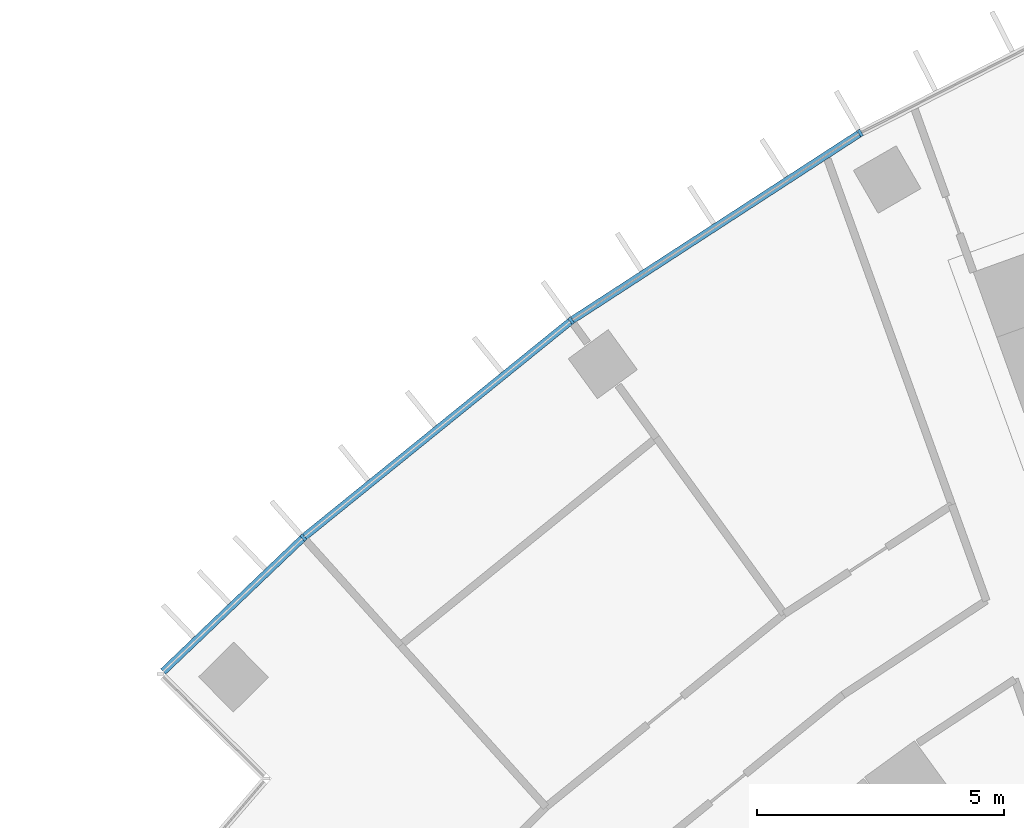
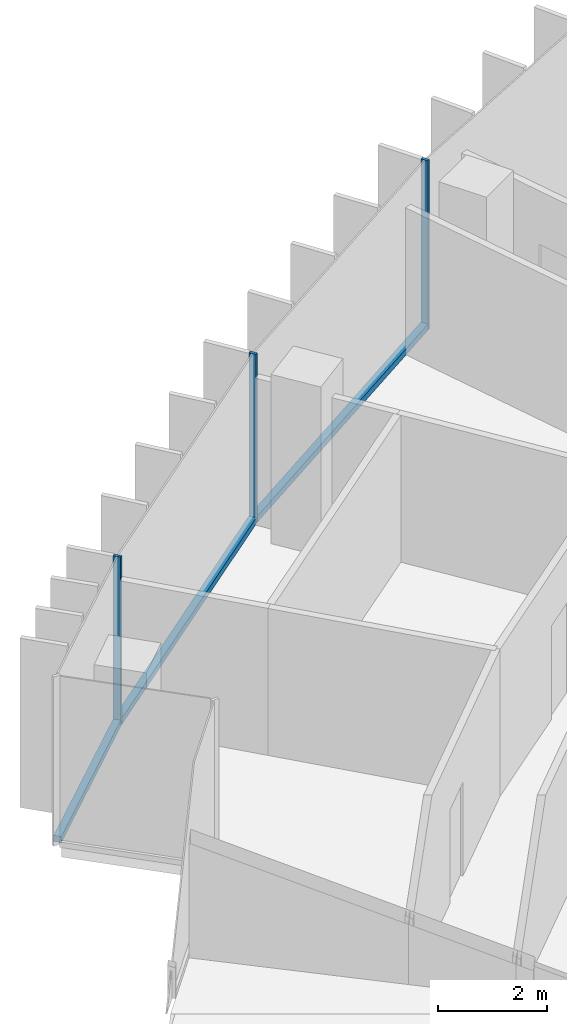
# One storey, part 4 of 21: 6 members, 1 element without a shape of its own.
"""IFC4 building model written with IfcOpenShell, lengths in metres."""

from ifc_helpers import new_model, si_unit, direction, frame, origin, origin_2d, place, context, subcontext, project, spatial, rectangle, extrude, material, layer, layer_set, material_profile, profile_set, type_object, element, aggregate, save


model = new_model("IFC4")

# Units and contexts
model_context = context("Model", 3, precision=1e-05, world=origin(), true_north=direction((0.0, 1.0)))
body_context = subcontext(model_context, "Body", "Model", "MODEL_VIEW")
ifc_project = project(units=[si_unit("LENGTHUNIT", "METRE"), si_unit("AREAUNIT", "SQUARE_METRE"), si_unit("VOLUMEUNIT", "CUBIC_METRE"), si_unit("PLANEANGLEUNIT", "RADIAN"), si_unit("MASSUNIT", "GRAM", prefix="KILO")], contexts=[model_context])

# Site, building, storey
site_placement = place(None, origin())
site = spatial("IfcSite", under=ifc_project, at=site_placement, CompositionType="ELEMENT")
building_placement = place(site_placement, origin())
building = spatial("IfcBuilding", under=site, at=building_placement, Name="Stone Belt Terrace Tower", CompositionType="ELEMENT")
storey_placement = place(building_placement, frame((0.0, 0.0, 189.60009765625)))
storey = spatial("IfcBuildingStorey", under=building, at=storey_placement, Name="L46", CompositionType="ELEMENT", Elevation=189.60009765625)

# Curtain wall, members
ifc_material = material(Name="Aluminium 6063-T6 anodised frame", Category="aluminium")
ifc_layer = layer(ifc_material, 0.14990234375)
ifc_layer_set = layer_set([ifc_layer], Name="CW-A unitised convex-face curtain wall")
curtain_wall_type = type_object("IfcCurtainWallType", Name="CW-A unitised convex-face curtain wall", PredefinedType="NOTDEFINED", material=ifc_layer_set)
curtain_wall_placement = place(storey_placement, origin())
curtain_wall = element("IfcCurtainWall", 1, at=curtain_wall_placement, inside=storey, type_object=curtain_wall_type, Name="CW-A convex face L46", PredefinedType="NOTDEFINED")
ifc_material_profile_1 = material_profile(ifc_material, rectangle(XDim=0.14990234375, YDim=0.06005859375, at=origin_2d()), Name="Aluminium 6063-T6 60x150")
ifc_profile_set_1 = profile_set([ifc_material_profile_1], Name="Aluminium 6063-T6 anodised frame")
member_type_1 = type_object("IfcMemberType", Name="CW-A mullion 60 x 150", PredefinedType="MULLION", material=ifc_profile_set_1)
member_1_placement = place(storey_placement, frame((-33.28759765625, 57.65576171875, 0.0), z_axis=(0.0, 0.0, 1.0), x_axis=(0.5, -0.866025403784, 0.0)))
member_1 = element("IfcMember", 2, at=member_1_placement, type_object=member_type_1, Name="CW-A mullion 13", PredefinedType="MULLION", context=body_context, shape_type="SweptSolid", body=[
    extrude(rectangle(XDim=0.14990234375, YDim=0.06005859375, at=origin_2d()), origin(), (0.0, 0.0, 1.0), 3.7998046875),
])
member_2_placement = place(storey_placement, frame((-39.1318359375, 53.8603515625, 0.0), z_axis=(0.0, 0.0, 1.0), x_axis=(0.587785252292, -0.809016994375, 0.0)))
member_2 = element("IfcMember", 3, at=member_2_placement, type_object=member_type_1, Name="CW-A mullion 14", PredefinedType="MULLION", context=body_context, shape_type="SweptSolid", body=[
    extrude(rectangle(XDim=0.14990234375, YDim=0.06005859375, at=origin_2d()), origin(), (0.0, 0.0, 1.0), 3.7998046875),
])
member_3_placement = place(storey_placement, frame((-44.546875, 49.4755859375, 0.0), z_axis=(0.0, 0.0, 1.0), x_axis=(0.660573481499, -0.75076139721, 0.0)))
member_3 = element("IfcMember", 4, at=member_3_placement, type_object=member_type_1, Name="CW-A mullion 15", PredefinedType="MULLION", context=body_context, shape_type="SweptSolid", body=[
    extrude(rectangle(XDim=0.14990234375, YDim=0.06005859375, at=origin_2d()), origin(), (0.0, 0.0, 1.0), 3.7998046875),
])
ifc_material_profile_2 = material_profile(ifc_material, rectangle(XDim=0.14990234375, YDim=0.139892578125, at=origin_2d()), Name="Aluminium 6063-T6 150x140")
ifc_profile_set_2 = profile_set([ifc_material_profile_2], Name="Aluminium 6063-T6 anodised frame")
member_type_2 = type_object("IfcMemberType", Name="CW-A transom 140 x 150", PredefinedType="USERDEFINED", material=ifc_profile_set_2)
member_4_placement = place(storey_placement, frame((-33.31591796875, 57.63720703125, 0.06982421875), z_axis=(-0.83868440714, -0.544617723931, 0.0), x_axis=(0.544617723931, -0.83868440714, 0.0)))
member_4 = element("IfcMember", 5, at=member_4_placement, type_object=member_type_2, Name="CW-A transom 13.1", ObjectType="TRANSOM", PredefinedType="USERDEFINED", context=body_context, shape_type="SweptSolid", body=[
    extrude(rectangle(XDim=0.14990234375, YDim=0.139892578125, at=origin_2d()), origin(), (0.0, 0.0, 1.0), 6.90087890625),
])
member_5_placement = place(storey_placement, frame((-39.158203125, 53.839111328125, 0.06982421875), z_axis=(-0.777141048626, -0.629326457842, 0.0), x_axis=(0.629326457842, -0.777141048626, 0.0)))
member_5 = element("IfcMember", 6, at=member_5_placement, type_object=member_type_2, Name="CW-A transom 14.1", ObjectType="TRANSOM", PredefinedType="USERDEFINED", context=body_context, shape_type="SweptSolid", body=[
    extrude(rectangle(XDim=0.14990234375, YDim=0.139892578125, at=origin_2d()), origin(), (0.0, 0.0, 1.0), 6.900634765625),
])
member_6_placement = place(storey_placement, frame((-44.570556640625, 49.45263671875, 0.06982421875), z_axis=(-0.723150258233, -0.690690744124, 0.0), x_axis=(0.690690744124, -0.723150258233, 0.0)))
member_6 = element("IfcMember", 7, at=member_6_placement, type_object=member_type_2, Name="CW-A transom 15.1", ObjectType="TRANSOM", PredefinedType="USERDEFINED", context=body_context, shape_type="SweptSolid", body=[
    extrude(rectangle(XDim=0.14990234375, YDim=0.139892578125, at=origin_2d()), origin(), (0.0, 0.0, 1.0), 3.888671875),
])
aggregate(curtain_wall, [member_1, member_2, member_3, member_4, member_5, member_6])

save(model, "model.ifc")
